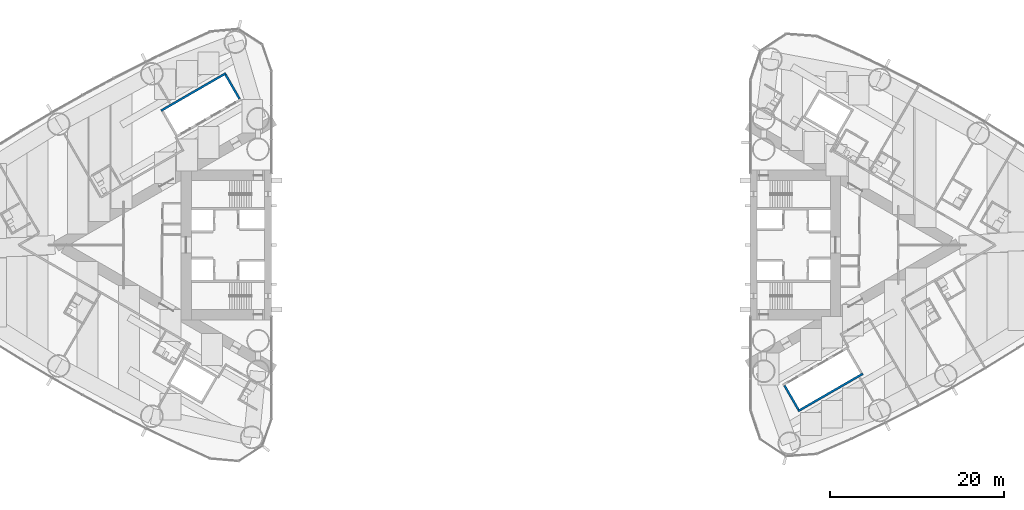
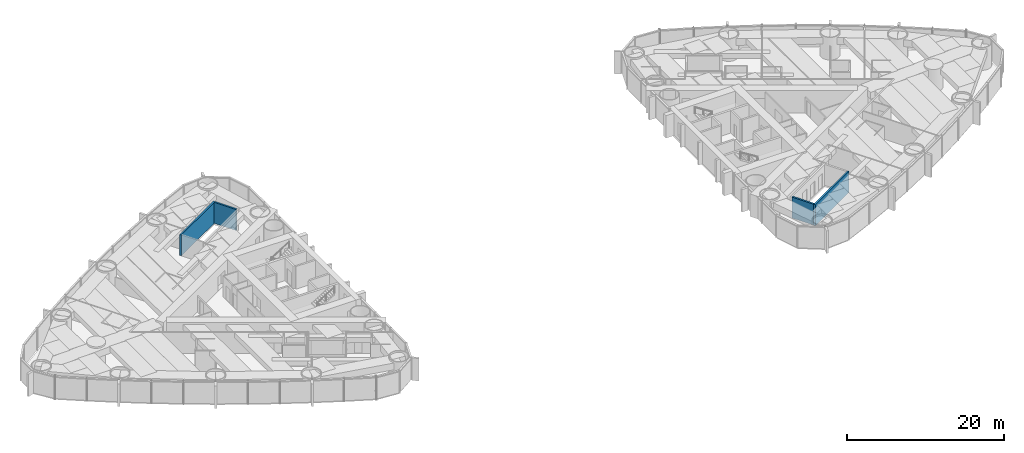
# One storey, part 13 of 19: 4 walls.
"""IFC4 building model written with IfcOpenShell, lengths in metres."""

from ifc_helpers import new_model, si_unit, direction, frame, frame_2d, origin, place, context, subcontext, project, spatial, rectangle, extrude, material, layer, layer_set, type_object, element, save


model = new_model("IFC4")

# Units and contexts
model_context = context("Model", 3, precision=1e-05, world=origin(), true_north=direction((0.0, 1.0)))
body_context = subcontext(model_context, "Body", "Model", "MODEL_VIEW")
ifc_project = project(units=[si_unit("LENGTHUNIT", "METRE"), si_unit("AREAUNIT", "SQUARE_METRE"), si_unit("VOLUMEUNIT", "CUBIC_METRE"), si_unit("PLANEANGLEUNIT", "RADIAN"), si_unit("MASSUNIT", "GRAM", prefix="KILO")], contexts=[model_context])

# Site, building, storey
site_placement = place(None, origin())
site = spatial("IfcSite", under=ifc_project, at=site_placement, CompositionType="ELEMENT")
building_placement = place(site_placement, origin())
building = spatial("IfcBuilding", under=site, at=building_placement, Name="Lancet Gate Hotel", CompositionType="ELEMENT")
storey_placement = place(building_placement, frame((0.0, 0.0, 122.10009765625)))
storey = spatial("IfcBuildingStorey", under=building, at=storey_placement, Name="L32", CompositionType="ELEMENT", Elevation=122.10009765625)

# Walls
ifc_material = material(Name="Gypsum board partition")
ifc_layer = layer(ifc_material, 0.25)
ifc_layer_set = layer_set([ifc_layer], Name="Lift shaft partition 250")
wall_type = type_object("IfcWallType", Name="Lift shaft partition 250", PredefinedType="PARTITIONING", material=ifc_layer_set)
wall_1_placement = place(storey_placement, frame((-32.735595703125, 19.73583984375, 0.0), z_axis=(0.0, 0.0, 1.0), x_axis=(-0.866028165386, -0.499995216735, 0.0)))
element("IfcWall", 1, at=wall_1_placement, inside=storey, type_object=wall_type, Name="T1 lift shaft wall LR L32", PredefinedType="PARTITIONING", context=body_context, shape_type="SweptSolid", body=[
    extrude(rectangle(XDim=8.60009765625, YDim=0.25, at=frame_2d((4.300048828125, 0.0))), origin(), (0.0, 0.0, 1.0), 3.25),
])
wall_2_placement = place(storey_placement, frame((-31.18115234375, 16.79296875, 0.0), z_axis=(0.0, 0.0, 1.0), x_axis=(-0.499929347863, 0.866066190972, 0.0)))
element("IfcWall", 2, at=wall_2_placement, inside=storey, type_object=wall_type, Name="T1 lift shaft wall LR L32", PredefinedType="PARTITIONING", context=body_context, shape_type="SweptSolid", body=[
    extrude(rectangle(XDim=3.20068359375, YDim=0.25, at=frame_2d((1.600341796875, 0.0))), origin(), (0.0, 0.0, 1.0), 3.25),
])
wall_3_placement = place(storey_placement, frame((32.99560546875, -19.085693359375, 0.0), z_axis=(0.0, 0.0, 1.0), x_axis=(0.866028165386, 0.499995216735, 0.0)))
element("IfcWall", 3, at=wall_3_placement, inside=storey, type_object=wall_type, Name="T2 lift shaft wall LR L32", PredefinedType="PARTITIONING", context=body_context, shape_type="SweptSolid", body=[
    extrude(rectangle(XDim=8.60009765625, YDim=0.25, at=frame_2d((4.300048828125, 0.0))), origin(), (0.0, 0.0, 1.0), 3.25),
])
wall_4_placement = place(storey_placement, frame((31.441162109375, -16.14306640625, 0.0), z_axis=(0.0, 0.0, 1.0), x_axis=(0.499929347863, -0.866066190972, 0.0)))
element("IfcWall", 4, at=wall_4_placement, inside=storey, type_object=wall_type, Name="T2 lift shaft wall LR L32", PredefinedType="PARTITIONING", context=body_context, shape_type="SweptSolid", body=[
    extrude(rectangle(XDim=3.20068359375, YDim=0.25, at=frame_2d((1.600341796875, 0.0))), origin(), (0.0, 0.0, 1.0), 3.25),
])

save(model, "model.ifc")
